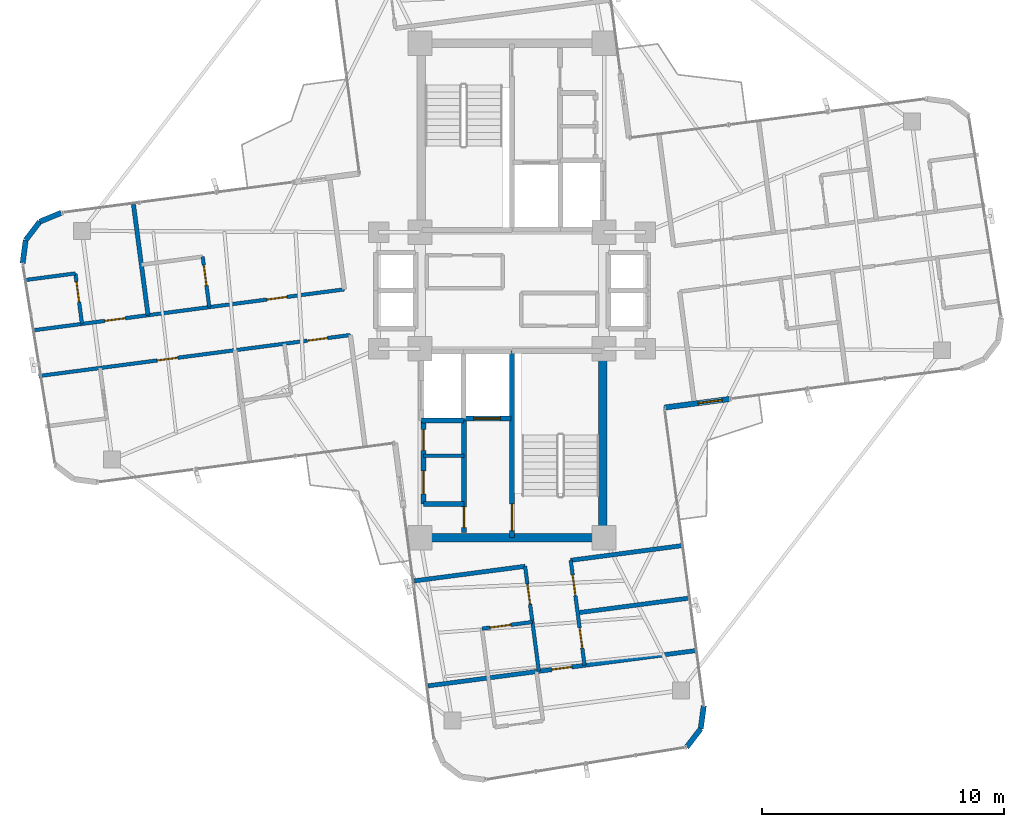
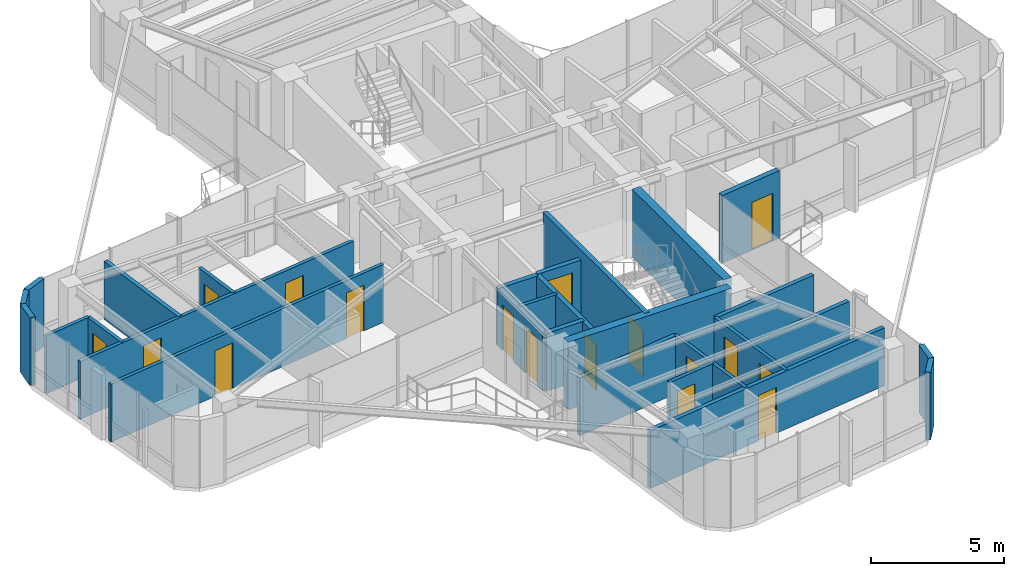
# One storey, part 19 of 23: 28 walls, 17 doors, 17 openings.
"""IFC4 building model written with IfcOpenShell, lengths in metres."""

from ifc_helpers import new_model, si_unit, direction, frame, frame_2d, origin, origin_2d, place, context, subcontext, project, spatial, rectangle, extrude, source, transform, mapped, material, layer, layer_set, type_object, element, fill, save


model = new_model("IFC4")

# Units and contexts
model_context = context("Model", 3, precision=1e-05, world=origin(), true_north=direction((0.0, 1.0)))
body_context = subcontext(model_context, "Body", "Model", "MODEL_VIEW")
ifc_project = project(units=[si_unit("LENGTHUNIT", "METRE"), si_unit("AREAUNIT", "SQUARE_METRE"), si_unit("VOLUMEUNIT", "CUBIC_METRE"), si_unit("PLANEANGLEUNIT", "RADIAN"), si_unit("MASSUNIT", "GRAM", prefix="KILO")], contexts=[model_context])

# Site, building, storey
site_placement = place(None, origin())
site = spatial("IfcSite", under=ifc_project, at=site_placement, CompositionType="ELEMENT")
building_placement = place(site_placement, origin())
building = spatial("IfcBuilding", under=site, at=building_placement, Name="Sahyath Konkavel Grand Hotel", CompositionType="ELEMENT")
storey_placement = place(building_placement, frame((0.0, 0.0, 251.199951171875)))
storey = spatial("IfcBuildingStorey", under=building, at=storey_placement, Name="L70", CompositionType="ELEMENT", Elevation=251.199951171875)

# Walls
ifc_material_1 = material(Name="Concrete C40/50", Category="concrete")
ifc_layer_1 = layer(ifc_material_1, 0.35009765625)
ifc_layer_set_1 = layer_set([ifc_layer_1], Name="Concrete C40/50")
wall_type_1 = type_object("IfcWallType", Name="CWALL-350", PredefinedType="SHEAR", material=ifc_layer_set_1)
wall_1_placement = place(storey_placement, frame((-3.550048828125, -10.199951171875, 0.0), z_axis=(0.0, 0.0, 1.0), x_axis=(1.0, 0.0, 0.0)))
element("IfcWall", 1, at=wall_1_placement, inside=storey, type_object=wall_type_1, Name="L70 South Core Shear Wall S", PredefinedType="SHEAR", context=body_context, shape_type="SweptSolid", body=[
    extrude(rectangle(XDim=7.10009765625, YDim=0.35009765625, at=frame_2d((3.550048828125, 0.0))), origin(), (0.0, 0.0, 1.0), 3.110107421875),
])
wall_2_placement = place(storey_placement, frame((3.739990234375, -9.75, 0.0), z_axis=(0.0, 0.0, 1.0), x_axis=(0.0, 1.0, 0.0)))
element("IfcWall", 2, at=wall_2_placement, inside=storey, type_object=wall_type_1, Name="L70 South Core Shear Wall E", PredefinedType="SHEAR", context=body_context, shape_type="SweptSolid", body=[
    extrude(rectangle(XDim=6.89990234375, YDim=0.35009765625, at=frame_2d((3.449951171875, 0.0))), origin(), (0.0, 0.0, 1.0), 3.110107421875),
])

# Wall, opening, door
ifc_material_2 = material(Name="Warm Buff Sandstone Insulated Concrete C40/50", Category="masonry")
ifc_layer_2 = layer(ifc_material_2, 0.219970703125)
ifc_layer_set_2 = layer_set([ifc_layer_2], Name="Warm Buff Sandstone Insulated Concrete C40/50")
wall_type_2 = type_object("IfcWallType", Name="WLL-BALC-THRESH", PredefinedType="STANDARD", material=ifc_layer_set_2)
wall_3_placement = place(storey_placement, frame((6.2919921875, -4.827880859375, 0.0), z_axis=(0.0, 0.0, 1.0), x_axis=(0.991451525486, 0.130475563272, 0.0)))
wall_3 = element("IfcWall", 3, at=wall_3_placement, inside=storey, type_object=wall_type_2, Name="L70 Winter-Garden Threshold Wall 0", PredefinedType="STANDARD", context=body_context, shape_type="SweptSolid", body=[
    extrude(rectangle(XDim=2.7001953125, YDim=0.219970703125, at=frame_2d((1.35009765625, 0.0))), origin(), (0.0, 0.0, 1.0), 3.110107421875),
])
opening_1_placement = place(wall_3_placement, frame((1.39990234375, 0.0, 0.0)))
opening_1 = element("IfcOpeningElement", 4, at=opening_1_placement, cuts=wall_3, Name="Opening D-TR1", PredefinedType="OPENING", context=body_context, shape_type="SweptSolid", body=[
    extrude(rectangle(XDim=1.0, YDim=2.199951171875, at=frame_2d((0.5, 1.10009765625))), frame((0.0, 0.1201171875, 0.0), z_axis=(0.0, -1.0, 0.0), x_axis=(1.0, 0.0, 0.0)), (0.0, 0.0, 1.0), 0.239990234375),
])
ifc_material_3 = material(Name="Anodised Bronze Aluminium & Low-E Glazing", Category="aluminium")
door_type_1 = type_object("IfcDoorType", Name="DR-TERRACE-1000", OperationType="NOTDEFINED", PredefinedType="DOOR", material=ifc_material_3)
shared_shape_1 = source(origin(), body_context, "Body", "SweptSolid", [
    extrude(rectangle(XDim=1.0, YDim=0.050048828125, at=origin_2d()), origin(), (0.0, 0.0, 1.0), 2.199951171875),
])
door_1_placement = place(opening_1_placement, frame((0.5, 0.0, 0.0)))
door_1 = element("IfcDoor", 5, at=door_1_placement, inside=storey, type_object=door_type_1, Name="L70 Winter-Garden Terrace Door 0", OperationType="SINGLE_SWING_LEFT", OverallHeight=2.199951171875, OverallWidth=1.0, PredefinedType="DOOR", context=body_context, shape_type="MappedRepresentation", body=[
    mapped(shared_shape_1, transform((0.0, 0.0, 0.0), scale=1.0)),
])
fill(opening_1, door_1)

# Walls
wall_4_placement = place(storey_placement, frame((-18.594970703125, 3.208251953125, 0.0), z_axis=(0.0, 0.0, 1.0), x_axis=(-0.923852099304, -0.382749655273, 0.0)))
element("IfcWall", 6, at=wall_4_placement, inside=storey, type_object=wall_type_2, Name="L70 Rounded Corner Sandstone Pier 17", PredefinedType="STANDARD", context=body_context, shape_type="SweptSolid", body=[
    extrude(rectangle(XDim=0.95751953125, YDim=0.219970703125, at=frame_2d((0.478759765625, 0.0))), origin(), (0.0, 0.0, 1.0), 3.110107421875),
])
wall_5_placement = place(storey_placement, frame((-19.4794921875, 2.841796875, 0.0), z_axis=(0.0, 0.0, 1.0), x_axis=(-0.608774010809, -0.793343685778, 0.0)))
element("IfcWall", 7, at=wall_5_placement, inside=storey, type_object=wall_type_2, Name="L70 Rounded Corner Sandstone Pier 18", PredefinedType="STANDARD", context=body_context, shape_type="SweptSolid", body=[
    extrude(rectangle(XDim=0.957763671875, YDim=0.219970703125, at=frame_2d((0.47900390625, 0.0))), origin(), (0.0, 0.0, 1.0), 3.110107421875),
])
wall_6_placement = place(storey_placement, frame((-20.0625, 2.08203125, 0.0), z_axis=(0.0, 0.0, 1.0), x_axis=(-0.13056005306, -0.991440402921, 0.0)))
element("IfcWall", 8, at=wall_6_placement, inside=storey, type_object=wall_type_2, Name="L70 Rounded Corner Sandstone Pier 19", PredefinedType="STANDARD", context=body_context, shape_type="SweptSolid", body=[
    extrude(rectangle(XDim=0.95751953125, YDim=0.219970703125, at=frame_2d((0.478759765625, 0.0))), origin(), (0.0, 0.0, 1.0), 3.110107421875),
])
for number, where, z_axis, x_axis, name in (
    (9, (7.20361328125, -18.840087890625, 0.0), (0.0, 0.0, 1.0), (0.608774010809, 0.793343685778, 0.0), "L70 Rounded Corner Sandstone Pier 29"),
    (10, (7.78662109375, -18.080322265625, 0.0), (0.0, 0.0, 1.0), (0.130527053476, 0.991444747987, 0.0), "L70 Rounded Corner Sandstone Pier 30"),
):
    element("IfcWall", number, at=place(storey_placement, frame(where, z_axis=z_axis, x_axis=x_axis)), inside=storey, type_object=wall_type_2, Name=name, PredefinedType="STANDARD", context=body_context, shape_type="SweptSolid", body=[
        extrude(rectangle(XDim=0.957763671875, YDim=0.219970703125, at=frame_2d((0.47900390625, 0.0))), origin(), (0.0, 0.0, 1.0), 3.110107421875),
    ])

# Wall, opening, door
ifc_layer_3 = layer(ifc_material_1, 0.199951171875)
ifc_layer_set_3 = layer_set([ifc_layer_3], Name="Concrete C40/50")
wall_type_3 = type_object("IfcWallType", Name="WLL-CORE-200", PredefinedType="SOLIDWALL", material=ifc_layer_set_3)
wall_7_placement = place(storey_placement, frame((0.0, -10.179931640625, 0.0), z_axis=(0.0, 0.0, 1.0), x_axis=(0.0, 1.0, 0.0)))
wall_7 = element("IfcWall", 11, at=wall_7_placement, inside=storey, type_object=wall_type_3, Name="L70 Stair ST-2 Shaft Wall W", PredefinedType="SOLIDWALL", context=body_context, shape_type="SweptSolid", body=[
    extrude(rectangle(XDim=7.679931640625, YDim=0.199951171875, at=frame_2d((3.83984375, 0.0))), origin(), (0.0, 0.0, 1.0), 3.110107421875),
])
opening_2_placement = place(wall_7_placement, frame((0.280029296875, 0.0, 0.0)))
opening_2 = element("IfcOpeningElement", 12, at=opening_2_placement, cuts=wall_7, Name="Opening D-F12B", PredefinedType="OPENING", context=body_context, shape_type="SweptSolid", body=[
    extrude(rectangle(XDim=1.10009765625, YDim=2.14990234375, at=frame_2d((0.550048828125, 1.074951171875))), frame((0.0, 0.10986328125, 0.0), z_axis=(0.0, -1.0, 0.0), x_axis=(1.0, 0.0, 0.0)), (0.0, 0.0, 1.0), 0.219970703125),
])
ifc_material_4 = material(Name="Steel E350 Smokeproof Fire Door", Category="steel")
door_type_2 = type_object("IfcDoorType", Name="DR-FD120-1100", OperationType="NOTDEFINED", PredefinedType="DOOR", material=ifc_material_4)
shared_shape_2 = source(origin(), body_context, "Body", "SweptSolid", [
    extrude(rectangle(XDim=1.10009765625, YDim=0.050048828125, at=origin_2d()), origin(), (0.0, 0.0, 1.0), 2.14990234375),
])
door_2_placement = place(opening_2_placement, frame((0.550048828125, 0.0, 0.0)))
door_2 = element("IfcDoor", 13, at=door_2_placement, inside=storey, type_object=door_type_2, Name="L70 Stair ST-2 Fire Door", OperationType="SINGLE_SWING_LEFT", OverallHeight=2.14990234375, OverallWidth=1.10009765625, PredefinedType="DOOR", context=body_context, shape_type="MappedRepresentation", body=[
    mapped(shared_shape_2, transform((0.0, 0.0, 0.0), scale=1.0)),
])
fill(opening_2, door_2)

wall_8_placement = place(storey_placement, frame((-1.97998046875, -9.97998046875, 0.0), z_axis=(0.0, 0.0, 1.0), x_axis=(0.0, 1.0, 0.0)))
wall_8 = element("IfcWall", 14, at=wall_8_placement, inside=storey, type_object=wall_type_3, Name="L70 South Firefighting Lobby Wall W", PredefinedType="SOLIDWALL", context=body_context, shape_type="SweptSolid", body=[
    extrude(rectangle(XDim=4.659912109375, YDim=0.199951171875, at=frame_2d((2.330078125, 0.0))), origin(), (0.0, 0.0, 1.0), 2.66015625),
])
opening_3_placement = place(wall_8_placement, frame((0.199951171875, 0.0, 0.0)))
opening_3 = element("IfcOpeningElement", 15, at=opening_3_placement, cuts=wall_8, Name="Opening D-F12D", PredefinedType="OPENING", context=body_context, shape_type="SweptSolid", body=[
    extrude(rectangle(XDim=0.85009765625, YDim=2.10009765625, at=frame_2d((0.425048828125, 1.050048828125))), frame((0.0, 0.10986328125, 0.0), z_axis=(0.0, -1.0, 0.0), x_axis=(1.0, 0.0, 0.0)), (0.0, 0.0, 1.0), 0.219970703125),
])
ifc_material_5 = material(Name="Steel E350 Core Fire Door", Category="steel")
door_type_3 = type_object("IfcDoorType", Name="DR-FD120-850", OperationType="NOTDEFINED", PredefinedType="DOOR", material=ifc_material_5)
shared_shape_3 = source(origin(), body_context, "Body", "SweptSolid", [
    extrude(rectangle(XDim=0.85009765625, YDim=0.050048828125, at=origin_2d()), origin(), (0.0, 0.0, 1.0), 2.10009765625),
])
door_3_placement = place(opening_3_placement, frame((0.425048828125, 0.0, 0.0)))
door_3 = element("IfcDoor", 16, at=door_3_placement, inside=storey, type_object=door_type_3, Name="L70 South Firefighting Lobby Door", OperationType="SINGLE_SWING_LEFT", OverallHeight=2.10009765625, OverallWidth=0.85009765625, PredefinedType="DOOR", context=body_context, shape_type="MappedRepresentation", body=[
    mapped(shared_shape_3, transform((0.0, 0.0, 0.0), scale=1.0)),
])
fill(opening_3, door_3)

wall_9_placement = place(storey_placement, frame((-1.97998046875, -5.280029296875, 0.0), z_axis=(0.0, 0.0, 1.0), x_axis=(1.0, 0.0, 0.0)))
wall_9 = element("IfcWall", 17, at=wall_9_placement, inside=storey, type_object=wall_type_3, Name="L70 Partition SH-FFL2-S", PredefinedType="SOLIDWALL", context=body_context, shape_type="SweptSolid", body=[
    extrude(rectangle(XDim=1.929931640625, YDim=0.199951171875, at=frame_2d((0.96484375, 0.0))), origin(), (0.0, 0.0, 1.0), 2.66015625),
])
opening_4_placement = place(wall_9_placement, frame((0.39990234375, 0.0, 0.0)))
opening_4 = element("IfcOpeningElement", 18, at=opening_4_placement, cuts=wall_9, Name="Opening LD-11", PredefinedType="OPENING", context=body_context, shape_type="SweptSolid", body=[
    extrude(rectangle(XDim=1.10009765625, YDim=2.199951171875, at=frame_2d((0.550048828125, 1.10009765625))), frame((0.0, 0.10986328125, 0.0), z_axis=(0.0, -1.0, 0.0), x_axis=(1.0, 0.0, 0.0)), (0.0, 0.0, 1.0), 0.219970703125),
])
ifc_material_6 = material(Name="Bronze Lift Landing Door 1100")
door_type_4 = type_object("IfcDoorType", Name="DR-LIFT-1100", OperationType="DOUBLE_DOOR_SLIDING", PredefinedType="DOOR", material=ifc_material_6)
shared_shape_4 = source(origin(), body_context, "Body", "SweptSolid", [
    extrude(rectangle(XDim=1.10009765625, YDim=0.050048828125, at=origin_2d()), origin(), (0.0, 0.0, 1.0), 2.199951171875),
])
door_4_placement = place(opening_4_placement, frame((0.550048828125, 0.0, 0.0)))
door_4 = element("IfcDoor", 19, at=door_4_placement, inside=storey, type_object=door_type_4, Name="L70 Lift FFL-2 Landing Door", OperationType="DOUBLE_DOOR_SLIDING", OverallHeight=2.199951171875, OverallWidth=1.10009765625, PredefinedType="DOOR", context=body_context, shape_type="MappedRepresentation", body=[
    mapped(shared_shape_4, transform((0.0, 0.0, 0.0), scale=1.0)),
])
fill(opening_4, door_4)

# Wall
wall_10_placement = place(storey_placement, frame((-3.739990234375, -5.360107421875, 0.0), z_axis=(0.0, 0.0, 1.0), x_axis=(1.0, 0.0, 0.0)))
element("IfcWall", 20, at=wall_10_placement, inside=storey, type_object=wall_type_3, Name="L70 Partition SH-SVL2-S", PredefinedType="SOLIDWALL", context=body_context, shape_type="SweptSolid", body=[
    extrude(rectangle(XDim=1.739990234375, YDim=0.199951171875, at=frame_2d((0.8701171875, 0.0))), origin(), (0.0, 0.0, 1.0), 2.66015625),
])

# Wall, openings, doors
wall_11_placement = place(storey_placement, frame((-3.64990234375, -8.81005859375, 0.0), z_axis=(0.0, 0.0, 1.0), x_axis=(0.0, 1.0, 0.0)))
wall_11 = element("IfcWall", 21, at=wall_11_placement, inside=storey, type_object=wall_type_3, Name="L70 Reclaimed South Core Wall W", PredefinedType="SOLIDWALL", context=body_context, shape_type="SweptSolid", body=[
    extrude(rectangle(XDim=3.43017578125, YDim=0.199951171875, at=frame_2d((1.715087890625, 0.0))), origin(), (0.0, 0.0, 1.0), 2.66015625),
])
opening_5_placement = place(wall_11_placement, frame((0.419921875, 0.0, 0.0)))
opening_5 = element("IfcOpeningElement", 22, at=opening_5_placement, cuts=wall_11, Name="Opening D-AC95", PredefinedType="OPENING", context=body_context, shape_type="SweptSolid", body=[
    extrude(rectangle(XDim=0.949951171875, YDim=2.14990234375, at=frame_2d((0.47509765625, 1.074951171875))), frame((0.0, 0.10986328125, 0.0), z_axis=(0.0, -1.0, 0.0), x_axis=(1.0, 0.0, 0.0)), (0.0, 0.0, 1.0), 0.219970703125),
])
opening_6_placement = place(wall_11_placement, frame((2.219970703125, 0.0, 0.0)))
opening_6 = element("IfcOpeningElement", 23, at=opening_6_placement, cuts=wall_11, Name="Opening D-F06D", PredefinedType="OPENING", context=body_context, shape_type="SweptSolid", body=[
    extrude(rectangle(XDim=0.85009765625, YDim=2.10009765625, at=frame_2d((0.425048828125, 1.050048828125))), frame((0.0, 0.10986328125, 0.0), z_axis=(0.0, -1.0, 0.0), x_axis=(1.0, 0.0, 0.0)), (0.0, 0.0, 1.0), 0.219970703125),
])
ifc_material_7 = material(Name="Accessible Washroom Timber Door", Category="wood")
door_type_5 = type_object("IfcDoorType", Name="DR-ACC-950", OperationType="NOTDEFINED", PredefinedType="DOOR", material=ifc_material_7)
shared_shape_5 = source(origin(), body_context, "Body", "SweptSolid", [
    extrude(rectangle(XDim=0.949951171875, YDim=0.050048828125, at=origin_2d()), origin(), (0.0, 0.0, 1.0), 2.14990234375),
])
door_5_placement = place(opening_5_placement, frame((0.47509765625, 0.0, 0.0)))
door_5 = element("IfcDoor", 24, at=door_5_placement, inside=storey, type_object=door_type_5, Name="L70 Door SC-REC1-D", OperationType="SINGLE_SWING_RIGHT", OverallHeight=2.14990234375, OverallWidth=0.949951171875, PredefinedType="DOOR", context=body_context, shape_type="MappedRepresentation", body=[
    mapped(shared_shape_5, transform((0.0, 0.0, 0.0), scale=1.0)),
])
fill(opening_5, door_5)
ifc_material_8 = material(Name="Fire-Rated Shaft Access Door")
door_type_6 = type_object("IfcDoorType", Name="DR-FD60-850", OperationType="NOTDEFINED", PredefinedType="DOOR", material=ifc_material_8)
door_6_placement = place(opening_6_placement, frame((0.425048828125, 0.0, 0.0)))
door_6 = element("IfcDoor", 25, at=door_6_placement, inside=storey, type_object=door_type_6, Name="L70 Door SC-REC2-D", OperationType="SINGLE_SWING_LEFT", OverallHeight=2.10009765625, OverallWidth=0.85009765625, PredefinedType="DOOR", context=body_context, shape_type="MappedRepresentation", body=[
    mapped(shared_shape_3, transform((0.0, 0.0, 0.0), scale=1.0)),
])
fill(opening_6, door_6)

# Walls
wall_12_placement = place(storey_placement, frame((-3.64990234375, -8.81005859375, 0.0), z_axis=(0.0, 0.0, 1.0), x_axis=(1.0, 0.0, 0.0)))
element("IfcWall", 26, at=wall_12_placement, inside=storey, type_object=wall_type_3, Name="L70 Partition SC-REC-S", PredefinedType="SOLIDWALL", context=body_context, shape_type="SweptSolid", body=[
    extrude(rectangle(XDim=1.669921875, YDim=0.199951171875, at=frame_2d((0.8349609375, 0.0))), origin(), (0.0, 0.0, 1.0), 2.66015625),
])
ifc_material_9 = material(Name="Twin-Stud Acoustic Gypsum Plasterboard Partition")
ifc_layer_4 = layer(ifc_material_9, 0.179931640625)
ifc_layer_set_4 = layer_set([ifc_layer_4], Name="Twin-Stud Acoustic Gypsum Plasterboard Partition")
wall_type_4 = type_object("IfcWallType", Name="WLL-DEMISE-180", PredefinedType="PARTITIONING", material=ifc_layer_set_4)
for number, where, z_axis, x_axis, name in (
    (27, (-15.014404296875, -1.0185546875, 0.0), (0.0, 0.0, 1.0), (-0.130546336939, 0.991442209063, 0.0), "L70 Partition W-W1R-DEM"),
    (28, (2.42333984375, -11.12890625, 0.0), (0.0, 0.0, 1.0), (0.991442209063, 0.130546336939, 0.0), "L70 Partition S-INL"),
    (29, (-4.029052734375, -11.978515625, 0.0), (0.0, 0.0, 1.0), (0.991442209063, 0.130546336939, 0.0), "L70 Partition S-INR"),
):
    element("IfcWall", number, at=place(storey_placement, frame(where, z_axis=z_axis, x_axis=x_axis)), inside=storey, type_object=wall_type_4, Name=name, PredefinedType="PARTITIONING", context=body_context, shape_type="SweptSolid", body=[
        extrude(rectangle(XDim=4.608154296875, YDim=0.179931640625, at=frame_2d((2.30419921875, 0.0))), origin(), (0.0, 0.0, 1.0), 2.66015625),
    ])
wall_13_placement = place(storey_placement, frame((2.70849609375, -13.294189453125, 0.0), z_axis=(0.0, 0.0, 1.0), x_axis=(0.991449065089, 0.130494257859, 0.0)))
element("IfcWall", 30, at=wall_13_placement, inside=storey, type_object=wall_type_4, Name="L70 Partition S-S4L1-DEM", PredefinedType="PARTITIONING", context=body_context, shape_type="SweptSolid", body=[
    extrude(rectangle(XDim=4.60791015625, YDim=0.179931640625, at=frame_2d((2.303955078125, 0.0))), origin(), (0.0, 0.0, 1.0), 2.66015625),
])

# Wall, opening, door
wall_14_placement = place(storey_placement, frame((-3.458984375, -16.30810546875, 0.0), z_axis=(0.0, 0.0, 1.0), x_axis=(0.991445023509, 0.130524960673, 0.0)))
wall_14 = element("IfcWall", 31, at=wall_14_placement, inside=storey, type_object=wall_type_4, Name="L70 Partition S-STIP-END", PredefinedType="PARTITIONING", context=body_context, shape_type="SweptSolid", body=[
    extrude(rectangle(XDim=11.1162109375, YDim=0.179931640625, at=frame_2d((5.55810546875, 0.0))), origin(), (0.0, 0.0, 1.0), 2.66015625),
])
opening_7_placement = place(wall_14_placement, frame((5.133056640625, 0.0, 0.0)))
opening_7 = element("IfcOpeningElement", 32, at=opening_7_placement, cuts=wall_14, Name="Opening D-F06D", PredefinedType="OPENING", context=body_context, shape_type="SweptSolid", body=[
    extrude(rectangle(XDim=0.85009765625, YDim=2.10009765625, at=frame_2d((0.425048828125, 1.050048828125))), frame((0.0, 0.10009765625, 0.0), z_axis=(0.0, -1.0, 0.0), x_axis=(1.0, 0.0, 0.0)), (0.0, 0.0, 1.0), 0.199951171875),
])
door_7_placement = place(opening_7_placement, frame((0.425048828125, 0.0, 0.0)))
door_7 = element("IfcDoor", 33, at=door_7_placement, inside=storey, type_object=door_type_6, Name="L70 Door S-STIP-ED", OperationType="SINGLE_SWING_RIGHT", OverallHeight=2.10009765625, OverallWidth=0.85009765625, PredefinedType="DOOR", context=body_context, shape_type="MappedRepresentation", body=[
    mapped(shared_shape_3, transform((0.0, 0.0, 0.0), scale=1.0)),
])
fill(opening_7, door_7)

# Wall
ifc_material_10 = material(Name="Fire-Rated Gypsum Plasterboard Partition")
ifc_layer_5 = layer(ifc_material_10, 0.14990234375)
ifc_layer_set_5 = layer_set([ifc_layer_5], Name="Fire-Rated Gypsum Plasterboard Partition")
wall_type_5 = type_object("IfcWallType", Name="WLL-PART-150", PredefinedType="PARTITIONING", material=ifc_layer_set_5)
wall_15_placement = place(storey_placement, frame((-3.64990234375, -6.81005859375, 0.0), z_axis=(0.0, 0.0, 1.0), x_axis=(1.0, 0.0, 0.0)))
element("IfcWall", 34, at=wall_15_placement, inside=storey, type_object=wall_type_5, Name="L70 Partition SC-REC-M1", PredefinedType="PARTITIONING", context=body_context, shape_type="SweptSolid", body=[
    extrude(rectangle(XDim=1.669921875, YDim=0.14990234375, at=frame_2d((0.8349609375, 0.0))), origin(), (0.0, 0.0, 1.0), 2.66015625),
])

# Wall, openings, doors
wall_16_placement = place(storey_placement, frame((-6.66748046875, -1.8359375, 0.0), z_axis=(0.0, 0.0, 1.0), x_axis=(-0.991443782493, -0.130534386874, 0.0)))
wall_16 = element("IfcWall", 35, at=wall_16_placement, inside=storey, type_object=wall_type_5, Name="L70 Partition W-CL", PredefinedType="PARTITIONING", context=body_context, shape_type="SweptSolid", body=[
    extrude(rectangle(XDim=12.966796875, YDim=0.14990234375, at=frame_2d((6.4833984375, 0.0))), origin(), (0.0, 0.0, 1.0), 2.66015625),
])
opening_8_placement = place(wall_16_placement, frame((0.948974609375, 0.0, 0.0)))
opening_8 = element("IfcOpeningElement", 36, at=opening_8_placement, cuts=wall_16, Name="Opening D-F06D", PredefinedType="OPENING", context=body_context, shape_type="SweptSolid", body=[
    extrude(rectangle(XDim=0.85009765625, YDim=2.10009765625, at=frame_2d((0.425048828125, 1.050048828125))), frame((0.0, 0.0849609375, 0.0), z_axis=(0.0, -1.0, 0.0), x_axis=(1.0, 0.0, 0.0)), (0.0, 0.0, 1.0), 0.169921875),
])
opening_9_placement = place(wall_16_placement, frame((7.18310546875, 0.0, 0.0)))
opening_9 = element("IfcOpeningElement", 37, at=opening_9_placement, cuts=wall_16, Name="Opening D-F06D", PredefinedType="OPENING", context=body_context, shape_type="SweptSolid", body=[
    extrude(rectangle(XDim=0.85009765625, YDim=2.10009765625, at=frame_2d((0.425048828125, 1.050048828125))), frame((0.0, 0.0849609375, 0.0), z_axis=(0.0, -1.0, 0.0), x_axis=(1.0, 0.0, 0.0)), (0.0, 0.0, 1.0), 0.169921875),
])
door_8_placement = place(opening_8_placement, frame((0.425048828125, 0.0, 0.0)))
door_8 = element("IfcDoor", 38, at=door_8_placement, inside=storey, type_object=door_type_6, Name="L70 Door W-W1L-ED", OperationType="SINGLE_SWING_RIGHT", OverallHeight=2.10009765625, OverallWidth=0.85009765625, PredefinedType="DOOR", context=body_context, shape_type="MappedRepresentation", body=[
    mapped(shared_shape_3, transform((0.0, 0.0, 0.0), scale=1.0)),
])
fill(opening_8, door_8)
door_9_placement = place(opening_9_placement, frame((0.425048828125, 0.0, 0.0)))
door_9 = element("IfcDoor", 39, at=door_9_placement, inside=storey, type_object=door_type_6, Name="L70 Door W-W2L-ED", OperationType="SINGLE_SWING_RIGHT", OverallHeight=2.10009765625, OverallWidth=0.85009765625, PredefinedType="DOOR", context=body_context, shape_type="MappedRepresentation", body=[
    mapped(shared_shape_3, transform((0.0, 0.0, 0.0), scale=1.0)),
])
fill(opening_9, door_9)

wall_17_placement = place(storey_placement, frame((-6.915283203125, 0.0478515625, 0.0), z_axis=(0.0, 0.0, 1.0), x_axis=(-0.991444103298, -0.130531950249, 0.0)))
wall_17 = element("IfcWall", 40, at=wall_17_placement, inside=storey, type_object=wall_type_5, Name="L70 Partition W-CR", PredefinedType="PARTITIONING", context=body_context, shape_type="SweptSolid", body=[
    extrude(rectangle(XDim=12.967041015625, YDim=0.14990234375, at=frame_2d((6.4833984375, 0.0))), origin(), (0.0, 0.0, 1.0), 2.66015625),
])
opening_10_placement = place(wall_17_placement, frame((2.385009765625, 0.0, 0.0)))
opening_10 = element("IfcOpeningElement", 41, at=opening_10_placement, cuts=wall_17, Name="Opening D-F06D", PredefinedType="OPENING", context=body_context, shape_type="SweptSolid", body=[
    extrude(rectangle(XDim=0.85009765625, YDim=2.10009765625, at=frame_2d((0.425048828125, 1.050048828125))), frame((0.0, 0.0849609375, 0.0), z_axis=(0.0, -1.0, 0.0), x_axis=(1.0, 0.0, 0.0)), (0.0, 0.0, 1.0), 0.169921875),
])
opening_11_placement = place(wall_17_placement, frame((9.117919921875, 0.0, 0.0)))
opening_11 = element("IfcOpeningElement", 42, at=opening_11_placement, cuts=wall_17, Name="Opening D-F06D", PredefinedType="OPENING", context=body_context, shape_type="SweptSolid", body=[
    extrude(rectangle(XDim=0.85009765625, YDim=2.10009765625, at=frame_2d((0.425048828125, 1.050048828125))), frame((0.0, 0.0849609375, 0.0), z_axis=(0.0, -1.0, 0.0), x_axis=(1.0, 0.0, 0.0)), (0.0, 0.0, 1.0), 0.169921875),
])
door_10_placement = place(opening_10_placement, frame((0.425048828125, 0.0, 0.0)))
door_10 = element("IfcDoor", 43, at=door_10_placement, inside=storey, type_object=door_type_6, Name="L70 Door W-W1R-ED", OperationType="SINGLE_SWING_RIGHT", OverallHeight=2.10009765625, OverallWidth=0.85009765625, PredefinedType="DOOR", context=body_context, shape_type="MappedRepresentation", body=[
    mapped(shared_shape_3, transform((0.0, 0.0, 0.0), scale=1.0)),
])
fill(opening_10, door_10)
door_11_placement = place(opening_11_placement, frame((0.425048828125, 0.0, 0.0)))
door_11 = element("IfcDoor", 44, at=door_11_placement, inside=storey, type_object=door_type_6, Name="L70 Door W-W2R-ED", OperationType="SINGLE_SWING_RIGHT", OverallHeight=2.10009765625, OverallWidth=0.85009765625, PredefinedType="DOOR", context=body_context, shape_type="MappedRepresentation", body=[
    mapped(shared_shape_3, transform((0.0, 0.0, 0.0), scale=1.0)),
])
fill(opening_11, door_11)

# Wall, opening, door
wall_18_placement = place(storey_placement, frame((-12.486328125, -0.685791015625, 0.0), z_axis=(0.0, 0.0, 1.0), x_axis=(-0.130541714651, 0.991442817683, 0.0)))
wall_18 = element("IfcWall", 45, at=wall_18_placement, inside=storey, type_object=wall_type_5, Name="L70 Partition W-W1R-BS", PredefinedType="PARTITIONING", context=body_context, shape_type="SweptSolid", body=[
    extrude(rectangle(XDim=2.100341796875, YDim=0.14990234375, at=frame_2d((1.05029296875, 0.0))), origin(), (0.0, 0.0, 1.0), 2.66015625),
])
opening_12_placement = place(wall_18_placement, frame((0.89990234375, 0.0, 0.0)))
opening_12 = element("IfcOpeningElement", 46, at=opening_12_placement, cuts=wall_18, Name="Opening D-BT85", PredefinedType="OPENING", context=body_context, shape_type="SweptSolid", body=[
    extrude(rectangle(XDim=0.85009765625, YDim=2.10009765625, at=frame_2d((0.425048828125, 1.050048828125))), frame((0.0, 0.0849609375, 0.0), z_axis=(0.0, -1.0, 0.0), x_axis=(1.0, 0.0, 0.0)), (0.0, 0.0, 1.0), 0.169921875),
])
ifc_material_11 = material(Name="Moisture-Resistant Teak Bathroom Door")
door_type_7 = type_object("IfcDoorType", Name="DR-BATH-850", OperationType="NOTDEFINED", PredefinedType="DOOR", material=ifc_material_11)
door_12_placement = place(opening_12_placement, frame((0.425048828125, 0.0, 0.0)))
door_12 = element("IfcDoor", 47, at=door_12_placement, inside=storey, type_object=door_type_7, Name="L70 Door W-W1R-BD", OperationType="SINGLE_SWING_LEFT", OverallHeight=2.10009765625, OverallWidth=0.85009765625, PredefinedType="DOOR", context=body_context, shape_type="MappedRepresentation", body=[
    mapped(shared_shape_3, transform((0.0, 0.0, 0.0), scale=1.0)),
])
fill(opening_12, door_12)

wall_19_placement = place(storey_placement, frame((-17.739013671875, -1.377197265625, 0.0), z_axis=(0.0, 0.0, 1.0), x_axis=(-0.130556761174, 0.991440836415, 0.0)))
wall_19 = element("IfcWall", 48, at=wall_19_placement, inside=storey, type_object=wall_type_5, Name="L70 Partition W-W2R-BS", PredefinedType="PARTITIONING", context=body_context, shape_type="SweptSolid", body=[
    extrude(rectangle(XDim=2.10009765625, YDim=0.14990234375, at=frame_2d((1.050048828125, 0.0))), origin(), (0.0, 0.0, 1.0), 2.66015625),
])
opening_13_placement = place(wall_19_placement, frame((0.89990234375, 0.0, 0.0)))
opening_13 = element("IfcOpeningElement", 49, at=opening_13_placement, cuts=wall_19, Name="Opening D-BT85", PredefinedType="OPENING", context=body_context, shape_type="SweptSolid", body=[
    extrude(rectangle(XDim=0.85009765625, YDim=2.10009765625, at=frame_2d((0.425048828125, 1.050048828125))), frame((0.0, 0.0849609375, 0.0), z_axis=(0.0, -1.0, 0.0), x_axis=(1.0, 0.0, 0.0)), (0.0, 0.0, 1.0), 0.169921875),
])
door_13_placement = place(opening_13_placement, frame((0.425048828125, 0.0, 0.0)))
door_13 = element("IfcDoor", 50, at=door_13_placement, inside=storey, type_object=door_type_7, Name="L70 Door W-W2R-BD", OperationType="SINGLE_SWING_LEFT", OverallHeight=2.10009765625, OverallWidth=0.85009765625, PredefinedType="DOOR", context=body_context, shape_type="MappedRepresentation", body=[
    mapped(shared_shape_3, transform((0.0, 0.0, 0.0), scale=1.0)),
])
fill(opening_13, door_13)

# Wall
wall_20_placement = place(storey_placement, frame((-18.01318359375, 0.704833984375, 0.0), z_axis=(0.0, 0.0, 1.0), x_axis=(-0.991444969909, -0.13052536781, 0.0)))
element("IfcWall", 51, at=wall_20_placement, inside=storey, type_object=wall_type_5, Name="L70 Partition W-W2R-BF", PredefinedType="PARTITIONING", context=body_context, shape_type="SweptSolid", body=[
    extrude(rectangle(XDim=2.050048828125, YDim=0.14990234375, at=frame_2d((1.02490234375, 0.0))), origin(), (0.0, 0.0, 1.0), 2.66015625),
])

# Wall, openings, doors
wall_21_placement = place(storey_placement, frame((2.42333984375, -11.12890625, 0.0), z_axis=(0.0, 0.0, 1.0), x_axis=(0.13054128296, -0.991442874523, 0.0)))
wall_21 = element("IfcWall", 52, at=wall_21_placement, inside=storey, type_object=wall_type_5, Name="L70 Partition S-CL", PredefinedType="PARTITIONING", context=body_context, shape_type="SweptSolid", body=[
    extrude(rectangle(XDim=4.366943359375, YDim=0.14990234375, at=frame_2d((2.18359375, 0.0))), origin(), (0.0, 0.0, 1.0), 2.66015625),
])
opening_14_placement = place(wall_21_placement, frame((0.616943359375, 0.0, 0.0)))
opening_14 = element("IfcOpeningElement", 53, at=opening_14_placement, cuts=wall_21, Name="Opening D-F06D", PredefinedType="OPENING", context=body_context, shape_type="SweptSolid", body=[
    extrude(rectangle(XDim=0.85009765625, YDim=2.10009765625, at=frame_2d((0.425048828125, 1.050048828125))), frame((0.0, 0.0849609375, 0.0), z_axis=(0.0, -1.0, 0.0), x_axis=(1.0, 0.0, 0.0)), (0.0, 0.0, 1.0), 0.169921875),
])
opening_15_placement = place(wall_21_placement, frame((2.801025390625, 0.0, 0.0)))
opening_15 = element("IfcOpeningElement", 54, at=opening_15_placement, cuts=wall_21, Name="Opening D-F06D", PredefinedType="OPENING", context=body_context, shape_type="SweptSolid", body=[
    extrude(rectangle(XDim=0.85009765625, YDim=2.10009765625, at=frame_2d((0.425048828125, 1.050048828125))), frame((0.0, 0.0849609375, 0.0), z_axis=(0.0, -1.0, 0.0), x_axis=(1.0, 0.0, 0.0)), (0.0, 0.0, 1.0), 0.169921875),
])
door_14_placement = place(opening_14_placement, frame((0.425048828125, 0.0, 0.0)))
door_14 = element("IfcDoor", 55, at=door_14_placement, inside=storey, type_object=door_type_6, Name="L70 Door S-S4L1-D", OperationType="SINGLE_SWING_LEFT", OverallHeight=2.10009765625, OverallWidth=0.85009765625, PredefinedType="DOOR", context=body_context, shape_type="MappedRepresentation", body=[
    mapped(shared_shape_3, transform((0.0, 0.0, 0.0), scale=1.0)),
])
fill(opening_14, door_14)
door_15_placement = place(opening_15_placement, frame((0.425048828125, 0.0, 0.0)))
door_15 = element("IfcDoor", 56, at=door_15_placement, inside=storey, type_object=door_type_6, Name="L70 Door S-S4L2-D", OperationType="SINGLE_SWING_RIGHT", OverallHeight=2.10009765625, OverallWidth=0.85009765625, PredefinedType="DOOR", context=body_context, shape_type="MappedRepresentation", body=[
    mapped(shared_shape_3, transform((0.0, 0.0, 0.0), scale=1.0)),
])
fill(opening_15, door_15)

# Wall, opening, door
wall_22_placement = place(storey_placement, frame((0.53955078125, -11.376953125, 0.0), z_axis=(0.0, 0.0, 1.0), x_axis=(0.13054128296, -0.991442874523, 0.0)))
wall_22 = element("IfcWall", 57, at=wall_22_placement, inside=storey, type_object=wall_type_5, Name="L70 Partition S-CR", PredefinedType="PARTITIONING", context=body_context, shape_type="SweptSolid", body=[
    extrude(rectangle(XDim=4.366943359375, YDim=0.14990234375, at=frame_2d((2.18359375, 0.0))), origin(), (0.0, 0.0, 1.0), 2.66015625),
])
opening_16_placement = place(wall_22_placement, frame((0.73388671875, 0.0, 0.0)))
opening_16 = element("IfcOpeningElement", 58, at=opening_16_placement, cuts=wall_22, Name="Opening D-F06D", PredefinedType="OPENING", context=body_context, shape_type="SweptSolid", body=[
    extrude(rectangle(XDim=0.85009765625, YDim=2.10009765625, at=frame_2d((0.425048828125, 1.050048828125))), frame((0.0, 0.0849609375, 0.0), z_axis=(0.0, -1.0, 0.0), x_axis=(1.0, 0.0, 0.0)), (0.0, 0.0, 1.0), 0.169921875),
])
door_16_placement = place(opening_16_placement, frame((0.425048828125, 0.0, 0.0)))
door_16 = element("IfcDoor", 59, at=door_16_placement, inside=storey, type_object=door_type_6, Name="L70 Door S-S4R1-ED", OperationType="SINGLE_SWING_RIGHT", OverallHeight=2.10009765625, OverallWidth=0.85009765625, PredefinedType="DOOR", context=body_context, shape_type="MappedRepresentation", body=[
    mapped(shared_shape_3, transform((0.0, 0.0, 0.0), scale=1.0)),
])
fill(opening_16, door_16)

wall_23_placement = place(storey_placement, frame((0.842041015625, -13.674072265625, 0.0), z_axis=(0.0, 0.0, 1.0), x_axis=(-0.991440836415, -0.130556761174, 0.0)))
wall_23 = element("IfcWall", 60, at=wall_23_placement, inside=storey, type_object=wall_type_5, Name="L70 Partition S-S4R1-BS", PredefinedType="PARTITIONING", context=body_context, shape_type="SweptSolid", body=[
    extrude(rectangle(XDim=2.10009765625, YDim=0.14990234375, at=frame_2d((1.050048828125, 0.0))), origin(), (0.0, 0.0, 1.0), 2.66015625),
])
opening_17_placement = place(wall_23_placement, frame((0.89990234375, 0.0, 0.0)))
opening_17 = element("IfcOpeningElement", 61, at=opening_17_placement, cuts=wall_23, Name="Opening D-BT85", PredefinedType="OPENING", context=body_context, shape_type="SweptSolid", body=[
    extrude(rectangle(XDim=0.85009765625, YDim=2.10009765625, at=frame_2d((0.425048828125, 1.050048828125))), frame((0.0, 0.0849609375, 0.0), z_axis=(0.0, -1.0, 0.0), x_axis=(1.0, 0.0, 0.0)), (0.0, 0.0, 1.0), 0.169921875),
])
door_17_placement = place(opening_17_placement, frame((0.425048828125, 0.0, 0.0)))
door_17 = element("IfcDoor", 62, at=door_17_placement, inside=storey, type_object=door_type_7, Name="L70 Door S-S4R1-BD", OperationType="SINGLE_SWING_LEFT", OverallHeight=2.10009765625, OverallWidth=0.85009765625, PredefinedType="DOOR", context=body_context, shape_type="MappedRepresentation", body=[
    mapped(shared_shape_3, transform((0.0, 0.0, 0.0), scale=1.0)),
])
fill(opening_17, door_17)

save(model, "model.ifc")
